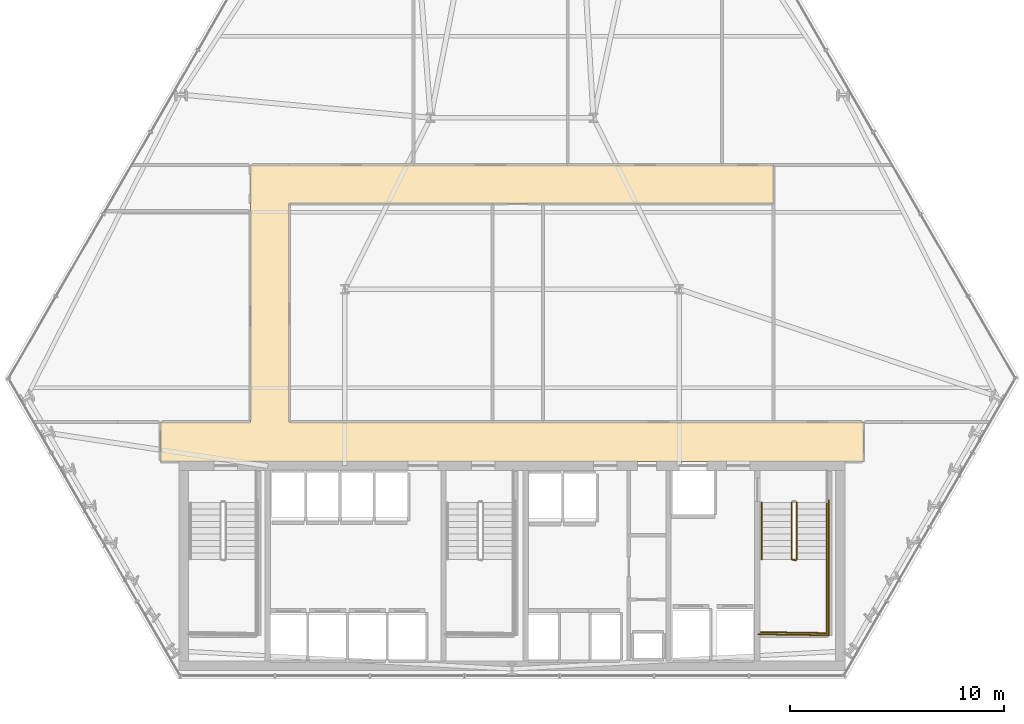
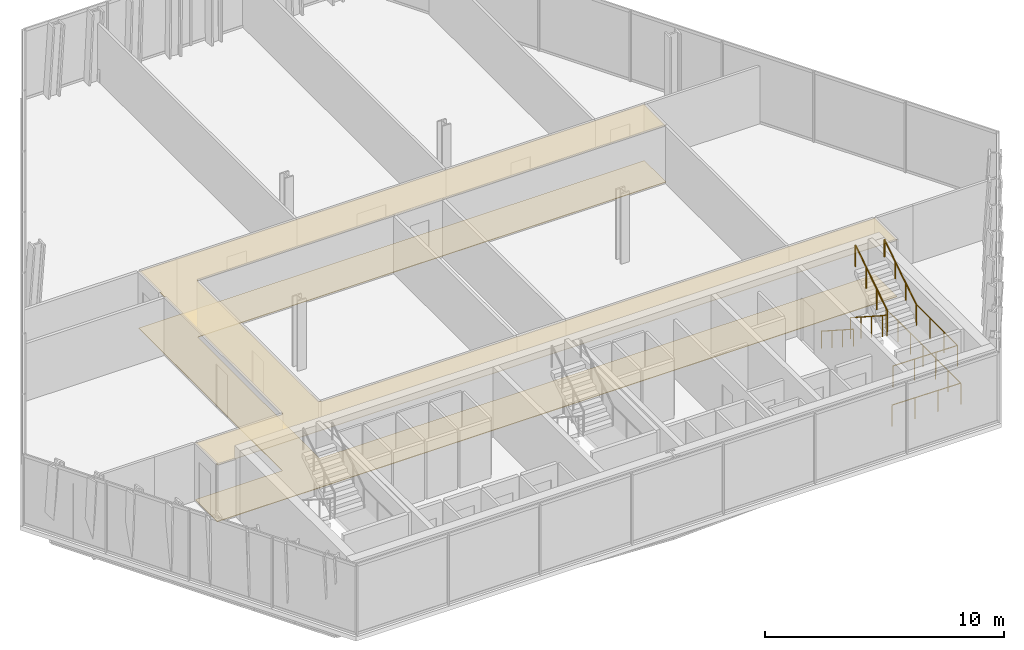
# One storey, part 31 of 32: 6 railings, 2 coverings.
"""IFC4 building model written with IfcOpenShell, lengths in metres."""

from ifc_helpers import new_model, si_unit, direction, frame, origin, origin_2d, place, context, subcontext, project, spatial, polyline, circle, outline, extrude, material, layer, layer_set, type_object, element, save


model = new_model("IFC4")

# Units and contexts
model_context = context("Model", 3, precision=1e-05, world=origin(), true_north=direction((0.0, 1.0)))
body_context = subcontext(model_context, "Body", "Model", "MODEL_VIEW")
ifc_project = project(units=[si_unit("LENGTHUNIT", "METRE"), si_unit("AREAUNIT", "SQUARE_METRE"), si_unit("VOLUMEUNIT", "CUBIC_METRE"), si_unit("PLANEANGLEUNIT", "RADIAN"), si_unit("MASSUNIT", "GRAM", prefix="KILO")], contexts=[model_context])

# Site, building, storey
site_placement = place(None, origin())
site = spatial("IfcSite", under=ifc_project, at=site_placement, CompositionType="ELEMENT")
building_placement = place(site_placement, origin())
building = spatial("IfcBuilding", under=site, at=building_placement, Name="Ndaravel Arena Tower", CompositionType="ELEMENT")
storey_placement = place(building_placement, frame((0.0, 0.0, 55.0)))
storey = spatial("IfcBuildingStorey", under=building, at=storey_placement, Name="L11", CompositionType="ELEMENT", Elevation=55.0)

# Coverings
ifc_material_1 = material(Name="Acoustic Ceiling Tile", Category="finish")
ifc_layer_1 = layer(ifc_material_1, 0.02490234375)
ifc_layer_set_1 = layer_set([ifc_layer_1], Name="Acoustic Ceiling Tile")
covering_type_1 = type_object("IfcCoveringType", Name="COV-CEIL-AC600", PredefinedType="CEILING", material=ifc_layer_set_1)
covering_1_placement = place(storey_placement, frame((0.0, 0.0, 2.90283203125)))
element("IfcCovering", 1, at=covering_1_placement, inside=storey, type_object=covering_type_1, Name="L11 Corridor Acoustic Ceiling", PredefinedType="CEILING", context=body_context, shape_type="SweptSolid", body=[
    extrude(outline(polyline([(58.39990234375, 17.0), (31.60009765625, 17.0), (31.60009765625, 27.199951171875), (54.199951171875, 27.199951171875), (54.199951171875, 29.0), (31.60009765625, 29.0), (29.800048828125, 29.0), (29.800048828125, 27.199951171875), (29.800048828125, 17.0), (25.60009765625, 17.0), (25.60009765625, 15.14990234375), (58.39990234375, 15.14990234375), (58.39990234375, 17.0)])), origin(), (0.0, 0.0, 1.0), 0.02490234375),
])
ifc_material_2 = material(Name="Terrazzo", Category="stone")
ifc_layer_2 = layer(ifc_material_2, 0.030029296875)
ifc_layer_set_2 = layer_set([ifc_layer_2], Name="Terrazzo")
covering_type_2 = type_object("IfcCoveringType", Name="COV-FLOOR-TERRAZZO", PredefinedType="FLOORING", material=ifc_layer_set_2)
covering_2_placement = place(storey_placement, origin())
element("IfcCovering", 2, at=covering_2_placement, inside=storey, type_object=covering_type_2, Name="L11 Corridor Terrazzo Flooring", PredefinedType="FLOORING", context=body_context, shape_type="SweptSolid", body=[
    extrude(outline(polyline([(58.39990234375, 17.0), (31.60009765625, 17.0), (31.60009765625, 27.199951171875), (54.199951171875, 27.199951171875), (54.199951171875, 29.0), (31.60009765625, 29.0), (29.800048828125, 29.0), (29.800048828125, 27.199951171875), (29.800048828125, 17.0), (25.60009765625, 17.0), (25.60009765625, 15.14990234375), (58.39990234375, 15.14990234375), (58.39990234375, 17.0)])), origin(), (0.0, 0.0, 1.0), 0.030029296875),
])

# Railings
ifc_material_3 = material(Name="Steel S355", Category="steel")
ifc_layer_3 = layer(ifc_material_3, 0.06005859375)
ifc_layer_set_3 = layer_set([ifc_layer_3], Name="Steel S355")
railing_type_1 = type_object("IfcRailingType", Name="RAIL-STAIR-GD1100", PredefinedType="GUARDRAIL", material=ifc_layer_set_3)
railing_1_placement = place(storey_placement, frame((55.050048828125, 13.25, 0.18994140625)))
element("IfcRailing", 3, at=railing_1_placement, inside=storey, type_object=railing_type_1, Name="L11 ST-3 stair guard 1", PredefinedType="GUARDRAIL", context=body_context, shape_type="SweptSolid", body=[
    extrude(circle(Radius=0.02392578125, at=origin_2d()), frame((0.0, 0.0, 1.076171875), z_axis=(0.0, -0.840723540582, 0.54146461409), x_axis=(1.0, 0.0, 0.0)), (0.0, 0.0, 1.0), 3.157958984375),
    extrude(circle(Radius=0.02392578125, at=origin_2d()), frame((0.0, -2.655029296875, 2.7861328125), z_axis=(0.966993988697, -0.254799187253, 0.0), x_axis=(0.254799187253, 0.966993988697, 0.0)), (0.0, 0.0, 1.0), 0.196533203125),
    extrude(circle(Radius=0.02099609375, at=origin_2d()), origin(), (0.0, 0.0, 1.0), 1.052001953125),
    extrude(circle(Radius=0.02099609375, at=origin_2d()), frame((0.0, -0.885009765625, 0.570068359375)), (0.0, 0.0, 1.0), 1.052001953125),
    extrude(circle(Radius=0.02099609375, at=origin_2d()), frame((0.0, -1.77001953125, 1.139892578125)), (0.0, 0.0, 1.0), 1.052001953125),
    extrude(circle(Radius=0.02099609375, at=origin_2d()), frame((0.0, -2.655029296875, 1.7099609375)), (0.0, 0.0, 1.0), 1.052001953125),
    extrude(circle(Radius=0.02099609375, at=origin_2d()), frame((0.18994140625, -2.705078125, 1.7099609375)), (0.0, 0.0, 1.0), 1.052001953125),
])
railing_2_placement = place(storey_placement, frame((56.68994140625, 10.594970703125, 1.89990234375)))
element("IfcRailing", 4, at=railing_2_placement, inside=storey, type_object=railing_type_1, Name="L11 ST-3 stair guard 2", PredefinedType="GUARDRAIL", context=body_context, shape_type="SweptSolid", body=[
    extrude(circle(Radius=0.02392578125, at=origin_2d()), frame((0.0, 0.0, 1.076171875), z_axis=(0.0, -1.0, 0.0), x_axis=(1.0, 0.0, 0.0)), (0.0, 0.0, 1.0), 3.445068359375),
    extrude(circle(Radius=0.02392578125, at=origin_2d()), frame((0.0, -3.445068359375, 1.076171875), z_axis=(-0.999868840623, 0.016195726322, 0.0), x_axis=(-0.016195726322, -0.999868840623, 0.0)), (0.0, 0.0, 1.0), 3.09033203125),
    extrude(circle(Radius=0.02099609375, at=origin_2d()), origin(), (0.0, 0.0, 1.0), 1.052001953125),
    extrude(circle(Radius=0.02099609375, at=origin_2d()), frame((0.0, -1.1484375, 0.0)), (0.0, 0.0, 1.0), 1.052001953125),
    extrude(circle(Radius=0.02099609375, at=origin_2d()), frame((0.0, -2.296630859375, 0.0)), (0.0, 0.0, 1.0), 1.052001953125),
    extrude(circle(Radius=0.02099609375, at=origin_2d()), frame((0.0, -3.445068359375, 0.0)), (0.0, 0.0, 1.0), 1.052001953125),
    extrude(circle(Radius=0.02099609375, at=origin_2d()), frame((-1.030029296875, -3.428466796875, 0.0)), (0.0, 0.0, 1.0), 1.052001953125),
    extrude(circle(Radius=0.02099609375, at=origin_2d()), frame((-2.059814453125, -3.41162109375, 0.0)), (0.0, 0.0, 1.0), 1.052001953125),
    extrude(circle(Radius=0.02099609375, at=origin_2d()), frame((-3.08984375, -3.39501953125, 0.0)), (0.0, 0.0, 1.0), 1.052001953125),
])
railing_3_placement = place(storey_placement, frame((55.2900390625, 10.594970703125, 2.090087890625)))
element("IfcRailing", 5, at=railing_3_placement, inside=storey, type_object=railing_type_1, Name="L11 ST-3 stair guard 3", PredefinedType="GUARDRAIL", context=body_context, shape_type="SweptSolid", body=[
    extrude(circle(Radius=0.02392578125, at=origin_2d()), frame((0.0, 0.0, 1.076171875), z_axis=(0.0, 0.840723540582, 0.54146461409), x_axis=(-1.0, 0.0, 0.0)), (0.0, 0.0, 1.0), 3.157958984375),
    extrude(circle(Radius=0.02099609375, at=origin_2d()), origin(), (0.0, 0.0, 1.0), 1.052001953125),
    extrude(circle(Radius=0.02099609375, at=origin_2d()), frame((0.0, 0.885009765625, 0.570068359375)), (0.0, 0.0, 1.0), 1.052001953125),
    extrude(circle(Radius=0.02099609375, at=origin_2d()), frame((0.0, 1.77001953125, 1.139892578125)), (0.0, 0.0, 1.0), 1.052001953125),
    extrude(circle(Radius=0.02099609375, at=origin_2d()), frame((0.0, 2.655029296875, 1.7099609375)), (0.0, 0.0, 1.0), 1.052001953125),
])
railing_4_placement = place(storey_placement, frame((56.7900390625, 13.35009765625, 0.0)))
element("IfcRailing", 6, at=railing_4_placement, inside=storey, type_object=railing_type_1, Name="L11 ST-3 stair guard 6", PredefinedType="GUARDRAIL", context=body_context, shape_type="SweptSolid", body=[
    extrude(circle(Radius=0.02392578125, at=origin_2d()), frame((0.0, 0.0, 1.076171875), z_axis=(0.0, -1.0, 0.0), x_axis=(1.0, 0.0, 0.0)), (0.0, 0.0, 1.0), 6.300048828125),
    extrude(circle(Radius=0.02392578125, at=origin_2d()), frame((0.0, -6.300048828125, 1.076171875), z_axis=(-0.99988431412, 0.015210469308, 0.0), x_axis=(-0.015210469308, -0.99988431412, 0.0)), (0.0, 0.0, 1.0), 3.29052734375),
    extrude(circle(Radius=0.02099609375, at=origin_2d()), origin(), (0.0, 0.0, 1.0), 1.052001953125),
    extrude(circle(Radius=0.02099609375, at=origin_2d()), frame((0.0, -1.050048828125, 0.0)), (0.0, 0.0, 1.0), 1.052001953125),
    extrude(circle(Radius=0.02099609375, at=origin_2d()), frame((0.0, -2.10009765625, 0.0)), (0.0, 0.0, 1.0), 1.052001953125),
    extrude(circle(Radius=0.02099609375, at=origin_2d()), frame((0.0, -3.14990234375, 0.0)), (0.0, 0.0, 1.0), 1.052001953125),
    extrude(circle(Radius=0.02099609375, at=origin_2d()), frame((0.0, -4.199951171875, 0.0)), (0.0, 0.0, 1.0), 1.052001953125),
    extrude(circle(Radius=0.02099609375, at=origin_2d()), frame((0.0, -5.25, 0.0)), (0.0, 0.0, 1.0), 1.052001953125),
    extrude(circle(Radius=0.02099609375, at=origin_2d()), frame((0.0, -6.300048828125, 0.0)), (0.0, 0.0, 1.0), 1.052001953125),
    extrude(circle(Radius=0.02099609375, at=origin_2d()), frame((-1.0966796875, -6.283447265625, 0.0)), (0.0, 0.0, 1.0), 1.052001953125),
    extrude(circle(Radius=0.02099609375, at=origin_2d()), frame((-2.193359375, -6.2666015625, 0.0)), (0.0, 0.0, 1.0), 1.052001953125),
    extrude(circle(Radius=0.02099609375, at=origin_2d()), frame((-3.2900390625, -6.25, 0.0)), (0.0, 0.0, 1.0), 1.052001953125),
])
ifc_material_4 = material(Name="Steel S355", Category="steel")
ifc_layer_4 = layer(ifc_material_4, 0.050048828125)
ifc_layer_set_4 = layer_set([ifc_layer_4], Name="Steel S355")
railing_type_2 = type_object("IfcRailingType", Name="RAIL-STAIR-HR920", PredefinedType="HANDRAIL", material=ifc_layer_set_4)
railing_5_placement = place(storey_placement, frame((53.64990234375, 13.25, 0.18994140625)))
element("IfcRailing", 7, at=railing_5_placement, inside=storey, type_object=railing_type_2, Name="L11 ST-3 stair handrail 1", PredefinedType="HANDRAIL", context=body_context, shape_type="SweptSolid", body=[
    extrude(circle(Radius=0.02392578125, at=origin_2d()), frame((0.0, 0.0, 0.8759765625), z_axis=(0.0, -0.840723540582, 0.54146461409), x_axis=(1.0, 0.0, 0.0)), (0.0, 0.0, 1.0), 3.157958984375),
    extrude(circle(Radius=0.02099609375, at=origin_2d()), origin(), (0.0, 0.0, 1.0), 0.851806640625),
    extrude(circle(Radius=0.02099609375, at=origin_2d()), frame((0.0, -0.885009765625, 0.570068359375)), (0.0, 0.0, 1.0), 0.851806640625),
    extrude(circle(Radius=0.02099609375, at=origin_2d()), frame((0.0, -1.77001953125, 1.139892578125)), (0.0, 0.0, 1.0), 0.851806640625),
    extrude(circle(Radius=0.02099609375, at=origin_2d()), frame((0.0, -2.655029296875, 1.7099609375)), (0.0, 0.0, 1.0), 0.851806640625),
])
railing_6_placement = place(storey_placement, frame((56.68994140625, 10.594970703125, 2.090087890625)))
element("IfcRailing", 8, at=railing_6_placement, inside=storey, type_object=railing_type_2, Name="L11 ST-3 stair handrail 2", PredefinedType="HANDRAIL", context=body_context, shape_type="SweptSolid", body=[
    extrude(circle(Radius=0.02392578125, at=origin_2d()), frame((0.0, 0.0, 0.8759765625), z_axis=(0.0, 0.840723540582, 0.54146461409), x_axis=(-1.0, 0.0, 0.0)), (0.0, 0.0, 1.0), 3.157958984375),
    extrude(circle(Radius=0.02099609375, at=origin_2d()), origin(), (0.0, 0.0, 1.0), 0.851806640625),
    extrude(circle(Radius=0.02099609375, at=origin_2d()), frame((0.0, 0.885009765625, 0.570068359375)), (0.0, 0.0, 1.0), 0.851806640625),
    extrude(circle(Radius=0.02099609375, at=origin_2d()), frame((0.0, 1.77001953125, 1.139892578125)), (0.0, 0.0, 1.0), 0.851806640625),
    extrude(circle(Radius=0.02099609375, at=origin_2d()), frame((0.0, 2.655029296875, 1.7099609375)), (0.0, 0.0, 1.0), 0.851806640625),
])

save(model, "model.ifc")
